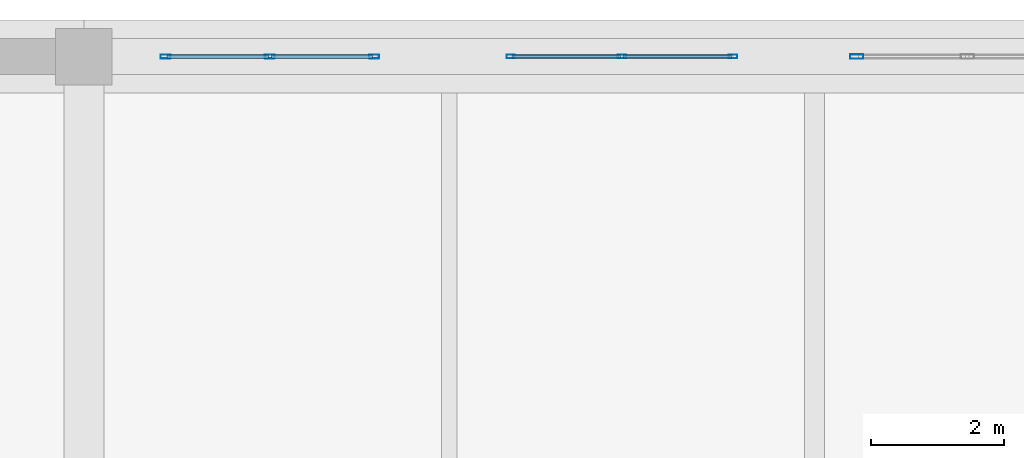
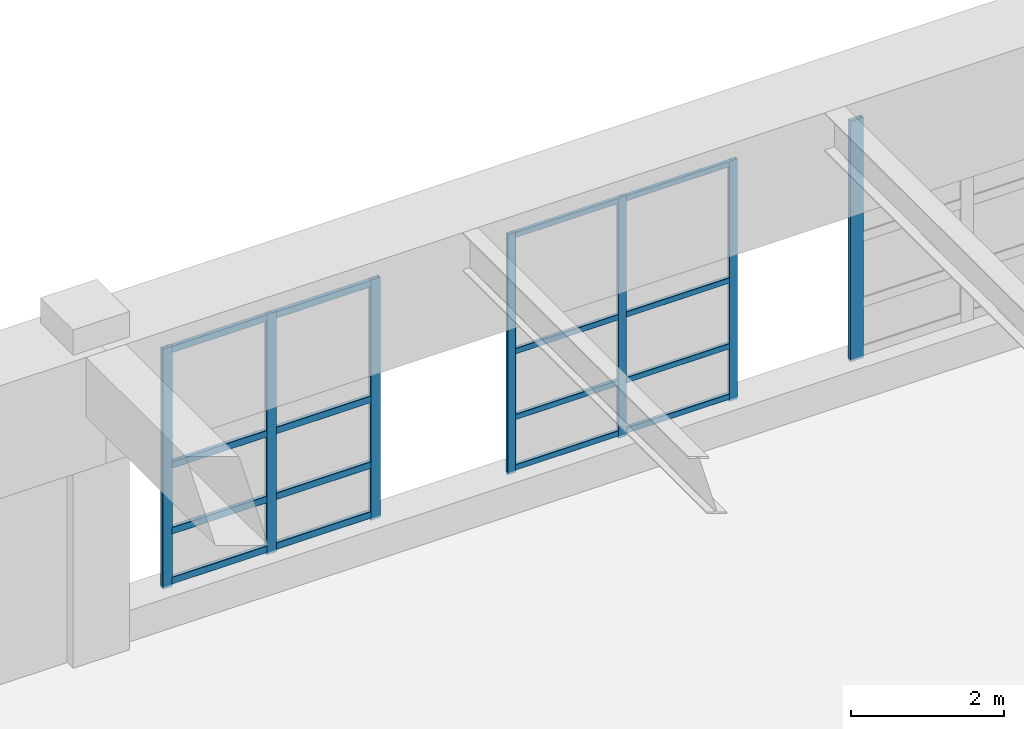
# One storey, part 141 of 197: 23 members, 3 elements without a shape of their own.
"""IFC4 building model written with IfcOpenShell, lengths in metres."""

from ifc_helpers import new_model, si_unit, derived_unit, direction, frame, origin, origin_2d, place, context, subcontext, project, spatial, hollow_rectangle, extrude, material, layer, layer_set, material_profile, profile_set, type_object, element, aggregate, save


model = new_model("IFC4")

# Units and contexts
model_context = context("Model", 3, precision=1e-05, world=origin(), true_north=direction((0.0, 1.0)))
body_context = subcontext(model_context, "Body", "Model", "MODEL_VIEW")
ifc_project = project(units=[si_unit("LENGTHUNIT", "METRE"), si_unit("AREAUNIT", "SQUARE_METRE"), si_unit("VOLUMEUNIT", "CUBIC_METRE"), si_unit("PLANEANGLEUNIT", "RADIAN"), si_unit("MASSUNIT", "GRAM", prefix="KILO"), derived_unit("THERMALTRANSMITTANCEUNIT", [(si_unit("POWERUNIT", "WATT"), 1), (si_unit("LENGTHUNIT", "METRE"), -2), (si_unit("THERMODYNAMICTEMPERATUREUNIT", "KELVIN"), -1)])], contexts=[model_context])

# Site, building, storey
site_placement = place(None, origin())
site = spatial("IfcSite", under=ifc_project, at=site_placement, CompositionType="ELEMENT")
building_placement = place(site_placement, origin())
building = spatial("IfcBuilding", under=site, at=building_placement, Name="Almenara Railside Exhibition Hall", CompositionType="ELEMENT")
storey_placement = place(building_placement, frame((0.0, 0.0, 5.39990234375)))
storey = spatial("IfcBuildingStorey", under=building, at=storey_placement, Name="L01", CompositionType="ELEMENT", Elevation=5.39990234375)

# Curtain wall, members
ifc_material_1 = material(Name="Bronze-anodised aluminium and low-E double glazing", Category="aluminium")
ifc_layer_1 = layer(ifc_material_1, 0.179931640625, Name="Bronze-anodised aluminium and low-E double glazing")
ifc_layer_set_1 = layer_set([ifc_layer_1], Name="Bronze-anodised aluminium and low-E double glazing")
curtain_wall_type_1 = type_object("IfcCurtainWallType", Name="Scroll Gable Mid Curtain Wall 3400x4400", PredefinedType="NOTDEFINED", material=ifc_layer_set_1)
curtain_wall_1_placement = place(storey_placement, origin())
curtain_wall_1 = element("IfcCurtainWall", 1, at=curtain_wall_1_placement, inside=storey, type_object=curtain_wall_type_1, Name="Curtain wall CW-G3-039", PredefinedType="NOTDEFINED")
ifc_material_2 = material(Name="Bronze-anodised aluminium", Category="aluminium")
ifc_material_profile_1 = material_profile(ifc_material_2, hollow_rectangle(XDim=0.054931640625, YDim=0.125, WallThickness=0.0029296875, InnerFilletRadius=0.0029296875, OuterFilletRadius=0.006103515625, at=origin_2d()), Name="ALU-MUL 55x125x3")
ifc_profile_set_1 = profile_set([ifc_material_profile_1], Name="Bronze-anodised aluminium")
member_type_1 = type_object("IfcMemberType", Name="Curtain Wall Mullion 55x125x3", PredefinedType="MULLION", material=ifc_profile_set_1)
member_1_placement = place(storey_placement, frame((28.827392578125, 132.0, 0.465087890625), z_axis=(0.0, 0.0, 1.0), x_axis=(0.0, 1.0, 0.0)))
member_1 = element("IfcMember", 2, at=member_1_placement, type_object=member_type_1, Name="CW-G3-039 mullion 1", PredefinedType="MULLION", context=body_context, shape_type="SweptSolid", body=[
    extrude(hollow_rectangle(XDim=0.054931640625, YDim=0.125, WallThickness=0.0029296875, InnerFilletRadius=0.0029296875, OuterFilletRadius=0.006103515625, at=origin_2d()), origin(), (0.0, 0.0, 1.0), 3.8349609375),
])
member_2_placement = place(storey_placement, frame((30.5, 132.0, 0.465087890625), z_axis=(0.0, 0.0, 1.0), x_axis=(0.0, 1.0, 0.0)))
member_2 = element("IfcMember", 3, at=member_2_placement, type_object=member_type_1, Name="CW-G3-039 mullion 2", PredefinedType="MULLION", context=body_context, shape_type="SweptSolid", body=[
    extrude(hollow_rectangle(XDim=0.054931640625, YDim=0.125, WallThickness=0.0029296875, InnerFilletRadius=0.0029296875, OuterFilletRadius=0.006103515625, at=origin_2d()), origin(), (0.0, 0.0, 1.0), 3.8349609375),
])
member_3_placement = place(storey_placement, frame((32.172607421875, 132.0, 0.465087890625), z_axis=(0.0, 0.0, 1.0), x_axis=(0.0, 1.0, 0.0)))
member_3 = element("IfcMember", 4, at=member_3_placement, type_object=member_type_1, Name="CW-G3-039 mullion 3", PredefinedType="MULLION", context=body_context, shape_type="SweptSolid", body=[
    extrude(hollow_rectangle(XDim=0.054931640625, YDim=0.125, WallThickness=0.0029296875, InnerFilletRadius=0.0029296875, OuterFilletRadius=0.006103515625, at=origin_2d()), origin(), (0.0, 0.0, 1.0), 3.8349609375),
])

ifc_layer_2 = layer(ifc_material_1, 0.179931640625, Name="Bronze-anodised aluminium and low-E double glazing")
ifc_layer_set_2 = layer_set([ifc_layer_2], Name="Bronze-anodised aluminium and low-E double glazing")
curtain_wall_type_2 = type_object("IfcCurtainWallType", Name="Scroll Gable Side Curtain Wall 3200x3800", PredefinedType="NOTDEFINED", material=ifc_layer_set_2)
curtain_wall_2_placement = place(storey_placement, origin())
curtain_wall_2 = element("IfcCurtainWall", 5, at=curtain_wall_2_placement, inside=storey, type_object=curtain_wall_type_2, Name="Curtain wall CW-G4-038", PredefinedType="NOTDEFINED")
ifc_material_profile_2 = material_profile(ifc_material_2, hollow_rectangle(XDim=0.06005859375, YDim=0.14990234375, WallThickness=0.00341796875, InnerFilletRadius=0.00341796875, OuterFilletRadius=0.007080078125, at=origin_2d()), Name="ALU-MUL 60x150x3.5")
ifc_profile_set_2 = profile_set([ifc_material_profile_2], Name="Bronze-anodised aluminium")
member_type_2 = type_object("IfcMemberType", Name="Curtain Wall Mullion 60x150x3.5", PredefinedType="MULLION", material=ifc_profile_set_2)
member_4_placement = place(storey_placement, frame((23.6298828125, 132.0, 0.465087890625), z_axis=(0.0, 0.0, 1.0), x_axis=(0.0, 1.0, 0.0)))
member_4 = element("IfcMember", 6, at=member_4_placement, type_object=member_type_2, Name="CW-G4-038 mullion 1", PredefinedType="MULLION", context=body_context, shape_type="SweptSolid", body=[
    extrude(hollow_rectangle(XDim=0.06005859375, YDim=0.14990234375, WallThickness=0.00341796875, InnerFilletRadius=0.00341796875, OuterFilletRadius=0.007080078125, at=origin_2d()), origin(), (0.0, 0.0, 1.0), 3.8349609375),
])
member_5_placement = place(storey_placement, frame((25.199951171875, 132.0, 0.465087890625), z_axis=(0.0, 0.0, 1.0), x_axis=(0.0, 1.0, 0.0)))
member_5 = element("IfcMember", 7, at=member_5_placement, type_object=member_type_2, Name="CW-G4-038 mullion 2", PredefinedType="MULLION", context=body_context, shape_type="SweptSolid", body=[
    extrude(hollow_rectangle(XDim=0.06005859375, YDim=0.14990234375, WallThickness=0.00341796875, InnerFilletRadius=0.00341796875, OuterFilletRadius=0.007080078125, at=origin_2d()), origin(), (0.0, 0.0, 1.0), 3.8349609375),
])
member_6_placement = place(storey_placement, frame((26.77001953125, 132.0, 0.465087890625), z_axis=(0.0, 0.0, 1.0), x_axis=(0.0, 1.0, 0.0)))
member_6 = element("IfcMember", 8, at=member_6_placement, type_object=member_type_2, Name="CW-G4-038 mullion 3", PredefinedType="MULLION", context=body_context, shape_type="SweptSolid", body=[
    extrude(hollow_rectangle(XDim=0.06005859375, YDim=0.14990234375, WallThickness=0.00341796875, InnerFilletRadius=0.00341796875, OuterFilletRadius=0.007080078125, at=origin_2d()), origin(), (0.0, 0.0, 1.0), 3.8349609375),
])

# Curtain wall, member
curtain_wall_3_placement = place(storey_placement, origin())
curtain_wall_3 = element("IfcCurtainWall", 9, at=curtain_wall_3_placement, inside=storey, type_object=curtain_wall_type_1, Name="Curtain wall CW-G3-040", PredefinedType="NOTDEFINED")
ifc_material_profile_3 = material_profile(ifc_material_2, hollow_rectangle(XDim=0.070068359375, YDim=0.199951171875, WallThickness=0.00439453125, InnerFilletRadius=0.00439453125, OuterFilletRadius=0.009033203125, at=origin_2d()), Name="ALU-MUL 70x200x4.5")
ifc_profile_set_3 = profile_set([ifc_material_profile_3], Name="Bronze-anodised aluminium")
member_type_3 = type_object("IfcMemberType", Name="Curtain Wall Mullion 70x200x4.5", PredefinedType="MULLION", material=ifc_profile_set_3)
member_7_placement = place(storey_placement, frame((34.034912109375, 132.0, 0.465087890625), z_axis=(0.0, 0.0, 1.0), x_axis=(0.0, 1.0, 0.0)))
member_7 = element("IfcMember", 10, at=member_7_placement, type_object=member_type_3, Name="CW-G3-040 mullion 1", PredefinedType="MULLION", context=body_context, shape_type="SweptSolid", body=[
    extrude(hollow_rectangle(XDim=0.070068359375, YDim=0.199951171875, WallThickness=0.00439453125, InnerFilletRadius=0.00439453125, OuterFilletRadius=0.009033203125, at=origin_2d()), origin(), (0.0, 0.0, 1.0), 3.8349609375),
])
aggregate(curtain_wall_3, [member_7])

# Member
ifc_material_profile_4 = material_profile(ifc_material_2, hollow_rectangle(XDim=0.054931640625, YDim=0.090087890625, WallThickness=0.0029296875, InnerFilletRadius=0.0029296875, OuterFilletRadius=0.006103515625, at=origin_2d()), Name="ALU-TRN 55x90x3")
ifc_profile_set_4 = profile_set([ifc_material_profile_4], Name="Bronze-anodised aluminium")
member_type_4 = type_object("IfcMemberType", Name="Curtain Wall Transom 55x90x3", PredefinedType="USERDEFINED", material=ifc_profile_set_4)
member_8_placement = place(storey_placement, frame((28.846923828125, 132.0, 0.545166015625), z_axis=(1.0, 0.0, 0.0), x_axis=(0.0, 1.0, 0.0)))
member_8 = element("IfcMember", 11, at=member_8_placement, type_object=member_type_4, Name="CW-G3-039 transom 1.1", ObjectType="TRANSOM", PredefinedType="USERDEFINED", context=body_context, shape_type="SweptSolid", body=[
    extrude(hollow_rectangle(XDim=0.054931640625, YDim=0.090087890625, WallThickness=0.0029296875, InnerFilletRadius=0.0029296875, OuterFilletRadius=0.006103515625, at=origin_2d()), origin(), (0.0, 0.0, 1.0), 1.633544921875),
])

member_9_placement = place(storey_placement, frame((28.846923828125, 132.0, 1.35009765625), z_axis=(1.0, 0.0, 0.0), x_axis=(0.0, 1.0, 0.0)))
member_9 = element("IfcMember", 12, at=member_9_placement, type_object=member_type_4, Name="CW-G3-039 transom 1.2", ObjectType="TRANSOM", PredefinedType="USERDEFINED", context=body_context, shape_type="SweptSolid", body=[
    extrude(hollow_rectangle(XDim=0.054931640625, YDim=0.090087890625, WallThickness=0.0029296875, InnerFilletRadius=0.0029296875, OuterFilletRadius=0.006103515625, at=origin_2d()), origin(), (0.0, 0.0, 1.0), 1.633544921875),
])

member_10_placement = place(storey_placement, frame((28.846923828125, 132.0, 2.400146484375), z_axis=(1.0, 0.0, 0.0), x_axis=(0.0, 1.0, 0.0)))
member_10 = element("IfcMember", 13, at=member_10_placement, type_object=member_type_4, Name="CW-G3-039 transom 1.3", ObjectType="TRANSOM", PredefinedType="USERDEFINED", context=body_context, shape_type="SweptSolid", body=[
    extrude(hollow_rectangle(XDim=0.054931640625, YDim=0.090087890625, WallThickness=0.0029296875, InnerFilletRadius=0.0029296875, OuterFilletRadius=0.006103515625, at=origin_2d()), origin(), (0.0, 0.0, 1.0), 1.633544921875),
])

member_11_placement = place(storey_placement, frame((28.846923828125, 132.0, 4.255126953125), z_axis=(1.0, 0.0, 0.0), x_axis=(0.0, 1.0, 0.0)))
member_11 = element("IfcMember", 14, at=member_11_placement, type_object=member_type_4, Name="CW-G3-039 transom 1.4", ObjectType="TRANSOM", PredefinedType="USERDEFINED", context=body_context, shape_type="SweptSolid", body=[
    extrude(hollow_rectangle(XDim=0.054931640625, YDim=0.090087890625, WallThickness=0.0029296875, InnerFilletRadius=0.0029296875, OuterFilletRadius=0.006103515625, at=origin_2d()), origin(), (0.0, 0.0, 1.0), 1.633544921875),
])

member_12_placement = place(storey_placement, frame((30.51953125, 132.0, 0.545166015625), z_axis=(1.0, 0.0, 0.0), x_axis=(0.0, 1.0, 0.0)))
member_12 = element("IfcMember", 15, at=member_12_placement, type_object=member_type_4, Name="CW-G3-039 transom 2.1", ObjectType="TRANSOM", PredefinedType="USERDEFINED", context=body_context, shape_type="SweptSolid", body=[
    extrude(hollow_rectangle(XDim=0.054931640625, YDim=0.090087890625, WallThickness=0.0029296875, InnerFilletRadius=0.0029296875, OuterFilletRadius=0.006103515625, at=origin_2d()), origin(), (0.0, 0.0, 1.0), 1.633544921875),
])

member_13_placement = place(storey_placement, frame((30.51953125, 132.0, 1.35009765625), z_axis=(1.0, 0.0, 0.0), x_axis=(0.0, 1.0, 0.0)))
member_13 = element("IfcMember", 16, at=member_13_placement, type_object=member_type_4, Name="CW-G3-039 transom 2.2", ObjectType="TRANSOM", PredefinedType="USERDEFINED", context=body_context, shape_type="SweptSolid", body=[
    extrude(hollow_rectangle(XDim=0.054931640625, YDim=0.090087890625, WallThickness=0.0029296875, InnerFilletRadius=0.0029296875, OuterFilletRadius=0.006103515625, at=origin_2d()), origin(), (0.0, 0.0, 1.0), 1.633544921875),
])

member_14_placement = place(storey_placement, frame((30.51953125, 132.0, 2.400146484375), z_axis=(1.0, 0.0, 0.0), x_axis=(0.0, 1.0, 0.0)))
member_14 = element("IfcMember", 17, at=member_14_placement, type_object=member_type_4, Name="CW-G3-039 transom 2.3", ObjectType="TRANSOM", PredefinedType="USERDEFINED", context=body_context, shape_type="SweptSolid", body=[
    extrude(hollow_rectangle(XDim=0.054931640625, YDim=0.090087890625, WallThickness=0.0029296875, InnerFilletRadius=0.0029296875, OuterFilletRadius=0.006103515625, at=origin_2d()), origin(), (0.0, 0.0, 1.0), 1.633544921875),
])

member_15_placement = place(storey_placement, frame((30.51953125, 132.0, 4.255126953125), z_axis=(1.0, 0.0, 0.0), x_axis=(0.0, 1.0, 0.0)))
member_15 = element("IfcMember", 18, at=member_15_placement, type_object=member_type_4, Name="CW-G3-039 transom 2.4", ObjectType="TRANSOM", PredefinedType="USERDEFINED", context=body_context, shape_type="SweptSolid", body=[
    extrude(hollow_rectangle(XDim=0.054931640625, YDim=0.090087890625, WallThickness=0.0029296875, InnerFilletRadius=0.0029296875, OuterFilletRadius=0.006103515625, at=origin_2d()), origin(), (0.0, 0.0, 1.0), 1.633544921875),
])

aggregate(curtain_wall_1, [member_1, member_2, member_3, member_8, member_9, member_10, member_11, member_12, member_13, member_14, member_15])

ifc_material_profile_5 = material_profile(ifc_material_2, hollow_rectangle(XDim=0.06005859375, YDim=0.110107421875, WallThickness=0.0029296875, InnerFilletRadius=0.0029296875, OuterFilletRadius=0.006103515625, at=origin_2d()), Name="ALU-TRN 60x110x3")
ifc_profile_set_5 = profile_set([ifc_material_profile_5], Name="Bronze-anodised aluminium")
member_type_5 = type_object("IfcMemberType", Name="Curtain Wall Transom 60x110x3", PredefinedType="USERDEFINED", material=ifc_profile_set_5)
member_16_placement = place(storey_placement, frame((23.652099609375, 132.0, 0.55517578125), z_axis=(1.0, 0.0, 0.0), x_axis=(0.0, 1.0, 0.0)))
member_16 = element("IfcMember", 19, at=member_16_placement, type_object=member_type_5, Name="CW-G4-038 transom 1.1", ObjectType="TRANSOM", PredefinedType="USERDEFINED", context=body_context, shape_type="SweptSolid", body=[
    extrude(hollow_rectangle(XDim=0.06005859375, YDim=0.110107421875, WallThickness=0.0029296875, InnerFilletRadius=0.0029296875, OuterFilletRadius=0.006103515625, at=origin_2d()), origin(), (0.0, 0.0, 1.0), 1.52587890625),
])

member_17_placement = place(storey_placement, frame((23.652099609375, 132.0, 1.35009765625), z_axis=(1.0, 0.0, 0.0), x_axis=(0.0, 1.0, 0.0)))
member_17 = element("IfcMember", 20, at=member_17_placement, type_object=member_type_5, Name="CW-G4-038 transom 1.2", ObjectType="TRANSOM", PredefinedType="USERDEFINED", context=body_context, shape_type="SweptSolid", body=[
    extrude(hollow_rectangle(XDim=0.06005859375, YDim=0.110107421875, WallThickness=0.0029296875, InnerFilletRadius=0.0029296875, OuterFilletRadius=0.006103515625, at=origin_2d()), origin(), (0.0, 0.0, 1.0), 1.52587890625),
])

member_18_placement = place(storey_placement, frame((23.652099609375, 132.0, 2.400146484375), z_axis=(1.0, 0.0, 0.0), x_axis=(0.0, 1.0, 0.0)))
member_18 = element("IfcMember", 21, at=member_18_placement, type_object=member_type_5, Name="CW-G4-038 transom 1.3", ObjectType="TRANSOM", PredefinedType="USERDEFINED", context=body_context, shape_type="SweptSolid", body=[
    extrude(hollow_rectangle(XDim=0.06005859375, YDim=0.110107421875, WallThickness=0.0029296875, InnerFilletRadius=0.0029296875, OuterFilletRadius=0.006103515625, at=origin_2d()), origin(), (0.0, 0.0, 1.0), 1.52587890625),
])

member_19_placement = place(storey_placement, frame((23.652099609375, 132.0, 4.2451171875), z_axis=(1.0, 0.0, 0.0), x_axis=(0.0, 1.0, 0.0)))
member_19 = element("IfcMember", 22, at=member_19_placement, type_object=member_type_5, Name="CW-G4-038 transom 1.4", ObjectType="TRANSOM", PredefinedType="USERDEFINED", context=body_context, shape_type="SweptSolid", body=[
    extrude(hollow_rectangle(XDim=0.06005859375, YDim=0.110107421875, WallThickness=0.0029296875, InnerFilletRadius=0.0029296875, OuterFilletRadius=0.006103515625, at=origin_2d()), origin(), (0.0, 0.0, 1.0), 1.52587890625),
])

member_20_placement = place(storey_placement, frame((25.221923828125, 132.0, 0.55517578125), z_axis=(1.0, 0.0, 0.0), x_axis=(0.0, 1.0, 0.0)))
member_20 = element("IfcMember", 23, at=member_20_placement, type_object=member_type_5, Name="CW-G4-038 transom 2.1", ObjectType="TRANSOM", PredefinedType="USERDEFINED", context=body_context, shape_type="SweptSolid", body=[
    extrude(hollow_rectangle(XDim=0.06005859375, YDim=0.110107421875, WallThickness=0.0029296875, InnerFilletRadius=0.0029296875, OuterFilletRadius=0.006103515625, at=origin_2d()), origin(), (0.0, 0.0, 1.0), 1.526123046875),
])

member_21_placement = place(storey_placement, frame((25.221923828125, 132.0, 1.35009765625), z_axis=(1.0, 0.0, 0.0), x_axis=(0.0, 1.0, 0.0)))
member_21 = element("IfcMember", 24, at=member_21_placement, type_object=member_type_5, Name="CW-G4-038 transom 2.2", ObjectType="TRANSOM", PredefinedType="USERDEFINED", context=body_context, shape_type="SweptSolid", body=[
    extrude(hollow_rectangle(XDim=0.06005859375, YDim=0.110107421875, WallThickness=0.0029296875, InnerFilletRadius=0.0029296875, OuterFilletRadius=0.006103515625, at=origin_2d()), origin(), (0.0, 0.0, 1.0), 1.526123046875),
])

member_22_placement = place(storey_placement, frame((25.221923828125, 132.0, 2.400146484375), z_axis=(1.0, 0.0, 0.0), x_axis=(0.0, 1.0, 0.0)))
member_22 = element("IfcMember", 25, at=member_22_placement, type_object=member_type_5, Name="CW-G4-038 transom 2.3", ObjectType="TRANSOM", PredefinedType="USERDEFINED", context=body_context, shape_type="SweptSolid", body=[
    extrude(hollow_rectangle(XDim=0.06005859375, YDim=0.110107421875, WallThickness=0.0029296875, InnerFilletRadius=0.0029296875, OuterFilletRadius=0.006103515625, at=origin_2d()), origin(), (0.0, 0.0, 1.0), 1.526123046875),
])

member_23_placement = place(storey_placement, frame((25.221923828125, 132.0, 4.2451171875), z_axis=(1.0, 0.0, 0.0), x_axis=(0.0, 1.0, 0.0)))
member_23 = element("IfcMember", 26, at=member_23_placement, type_object=member_type_5, Name="CW-G4-038 transom 2.4", ObjectType="TRANSOM", PredefinedType="USERDEFINED", context=body_context, shape_type="SweptSolid", body=[
    extrude(hollow_rectangle(XDim=0.06005859375, YDim=0.110107421875, WallThickness=0.0029296875, InnerFilletRadius=0.0029296875, OuterFilletRadius=0.006103515625, at=origin_2d()), origin(), (0.0, 0.0, 1.0), 1.526123046875),
])

aggregate(curtain_wall_2, [member_4, member_5, member_6, member_16, member_17, member_18, member_19, member_20, member_21, member_22, member_23])

save(model, "model.ifc")
